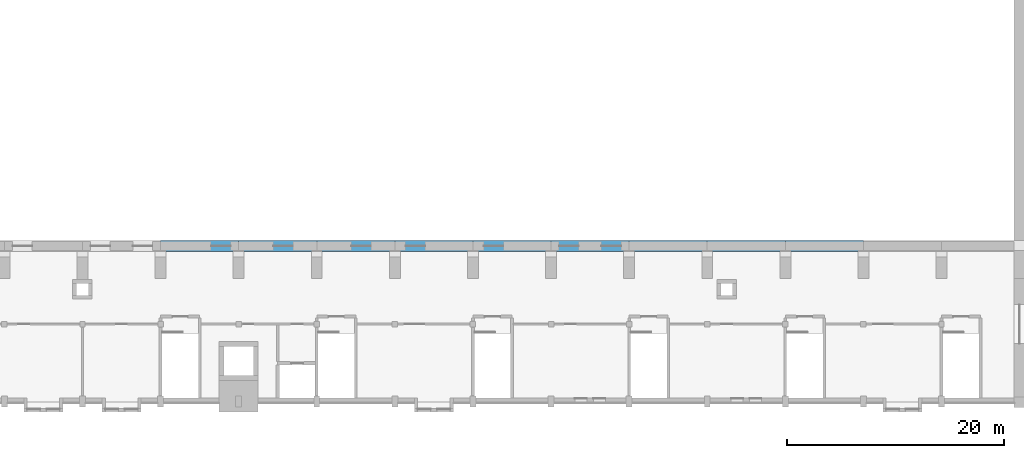
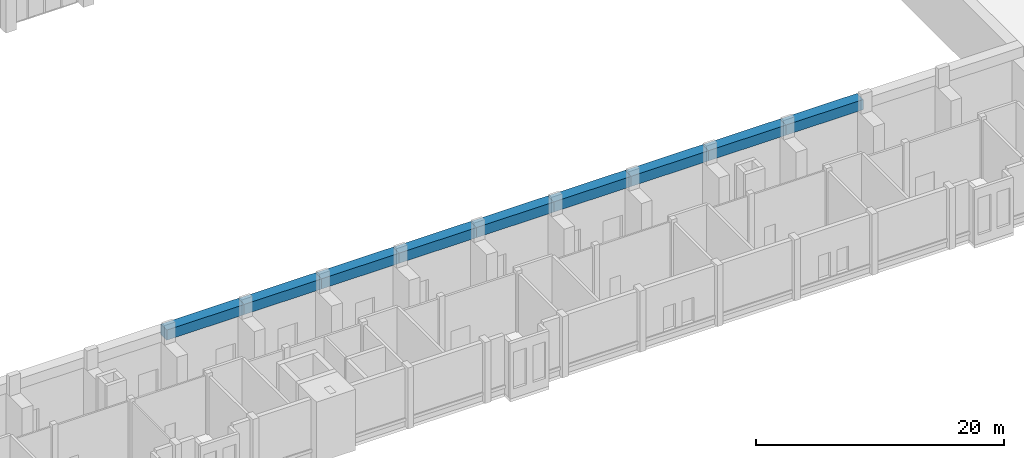
# One storey, part 6 of 44: 9 beams.
"""IFC4 building model written with IfcOpenShell, lengths in metres."""

from ifc_helpers import new_model, si_unit, direction, frame, origin, origin_2d, place, context, subcontext, project, spatial, rectangle, extrude, material, material_profile, profile_set, type_object, element, save


model = new_model("IFC4")

# Units and contexts
model_context = context("Model", 3, precision=1e-05, world=origin(), true_north=direction((0.0, 1.0)))
body_context = subcontext(model_context, "Body", "Model", "MODEL_VIEW")
ifc_project = project(units=[si_unit("LENGTHUNIT", "METRE"), si_unit("AREAUNIT", "SQUARE_METRE"), si_unit("VOLUMEUNIT", "CUBIC_METRE"), si_unit("PLANEANGLEUNIT", "RADIAN"), si_unit("MASSUNIT", "GRAM", prefix="KILO")], contexts=[model_context])

# Site, building, storey
site_placement = place(None, origin())
site = spatial("IfcSite", under=ifc_project, at=site_placement, CompositionType="ELEMENT")
building_placement = place(site_placement, origin())
building = spatial("IfcBuilding", under=site, at=building_placement, Name="Vermilion Court Aquatics Centre", CompositionType="ELEMENT")
storey_placement = place(building_placement, frame((0.0, 0.0, 6.0)))
storey = spatial("IfcBuildingStorey", under=building, at=storey_placement, Name="L01", CompositionType="ELEMENT", Elevation=6.0)

# Beams
ifc_material = material(Name="Concrete 5000 psi", Category="concrete")
ifc_material_profile = material_profile(ifc_material, rectangle(XDim=1.0, YDim=1.0, at=origin_2d()), Name="RC 1000x1000")
ifc_profile_set = profile_set([ifc_material_profile], Name="Concrete 5000 psi")
beam_type = type_object("IfcBeamType", Name="Roof springing tie beam south (bearing on the hall wall)", PredefinedType="BEAM", material=ifc_profile_set)
for number, where, z_axis, x_axis, name in (
    (1, (64.800048828125, 14.39990234375, 5.5), (1.0, 0.0, 0.0), (0.0, 1.0, 0.0), "Springing tie beam STS08"),
    (2, (72.0, 14.39990234375, 5.5), (1.0, 0.0, 0.0), (0.0, 1.0, 0.0), "Springing tie beam STS09"),
    (3, (79.199951171875, 14.39990234375, 5.5), (1.0, 0.0, 0.0), (0.0, 1.0, 0.0), "Springing tie beam STS10"),
):
    element("IfcBeam", number, at=place(storey_placement, frame(where, z_axis=z_axis, x_axis=x_axis)), inside=storey, type_object=beam_type, Name=name, PredefinedType="BEAM", context=body_context, shape_type="SweptSolid", body=[
        extrude(rectangle(XDim=1.0, YDim=1.0, at=origin_2d()), origin(), (0.0, 0.0, 1.0), 7.199951171875),
    ])
beam_1_placement = place(storey_placement, frame((86.39990234375, 14.39990234375, 5.5), z_axis=(1.0, 0.0, 0.0), x_axis=(0.0, 1.0, 0.0)))
element("IfcBeam", 4, at=beam_1_placement, inside=storey, type_object=beam_type, Name="Springing tie beam STS11", PredefinedType="BEAM", context=body_context, shape_type="SweptSolid", body=[
    extrude(rectangle(XDim=1.0, YDim=1.0, at=origin_2d()), origin(), (0.0, 0.0, 1.0), 7.2001953125),
])
for number, where, z_axis, x_axis, name in (
    (5, (93.60009765625, 14.39990234375, 5.5), (1.0, 0.0, 0.0), (0.0, 1.0, 0.0), "Springing tie beam STS12"),
    (6, (100.800048828125, 14.39990234375, 5.5), (1.0, 0.0, 0.0), (0.0, 1.0, 0.0), "Springing tie beam STS13"),
    (7, (108.0, 14.39990234375, 5.5), (1.0, 0.0, 0.0), (0.0, 1.0, 0.0), "Springing tie beam STS14"),
    (8, (115.199951171875, 14.39990234375, 5.5), (1.0, 0.0, 0.0), (0.0, 1.0, 0.0), "Springing tie beam STS15"),
):
    element("IfcBeam", number, at=place(storey_placement, frame(where, z_axis=z_axis, x_axis=x_axis)), inside=storey, type_object=beam_type, Name=name, PredefinedType="BEAM", context=body_context, shape_type="SweptSolid", body=[
        extrude(rectangle(XDim=1.0, YDim=1.0, at=origin_2d()), origin(), (0.0, 0.0, 1.0), 7.199951171875),
    ])
beam_2_placement = place(storey_placement, frame((122.39990234375, 14.39990234375, 5.5), z_axis=(1.0, 0.0, 0.0), x_axis=(0.0, 1.0, 0.0)))
element("IfcBeam", 9, at=beam_2_placement, inside=storey, type_object=beam_type, Name="Springing tie beam STS16", PredefinedType="BEAM", context=body_context, shape_type="SweptSolid", body=[
    extrude(rectangle(XDim=1.0, YDim=1.0, at=origin_2d()), origin(), (0.0, 0.0, 1.0), 7.2001953125),
])

save(model, "model.ifc")
